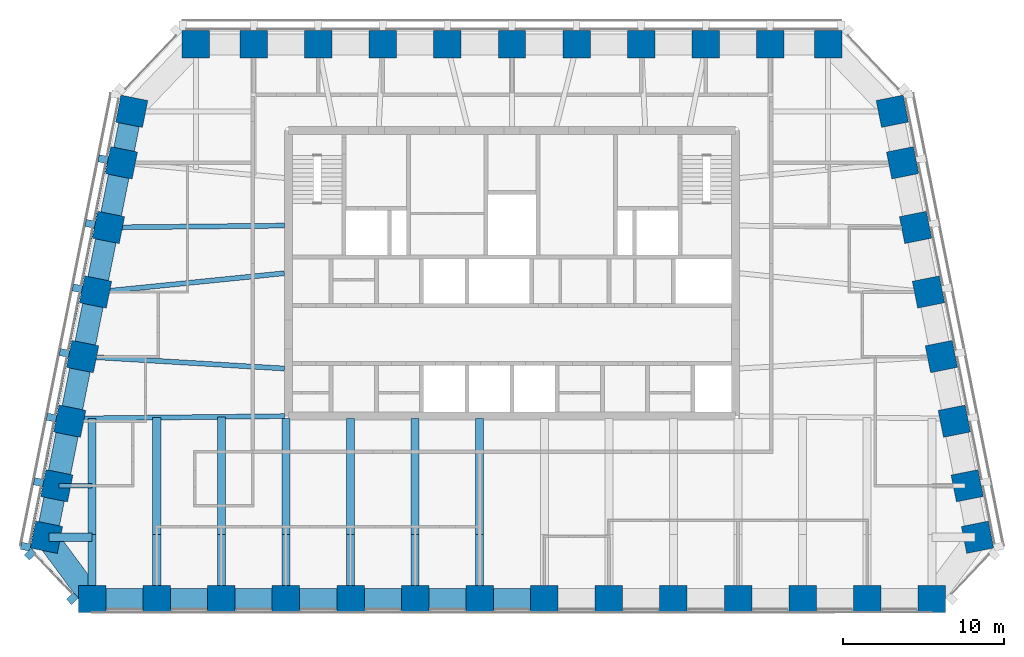
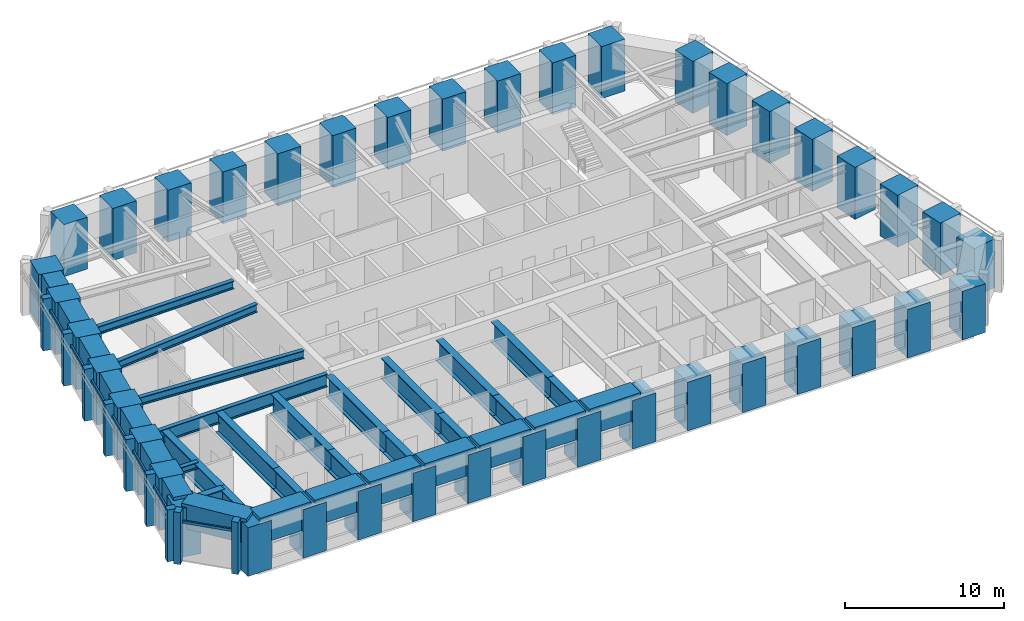
# One storey, part 1 of 12: 41 columns, 35 beams, 16 members, 2 elements without a shape of their own.
"""IFC4 building model written with IfcOpenShell, lengths in metres."""

from ifc_helpers import new_model, si_unit, direction, frame, origin, origin_2d, place, context, subcontext, project, spatial, rectangle, i_section, extrude, material, material_profile, profile_set, type_object, element, aggregate, save


model = new_model("IFC4")

# Units and contexts
model_context = context("Model", 3, precision=1e-05, world=origin(), true_north=direction((0.0, 1.0)))
body_context = subcontext(model_context, "Body", "Model", "MODEL_VIEW")
ifc_project = project(units=[si_unit("LENGTHUNIT", "METRE"), si_unit("AREAUNIT", "SQUARE_METRE"), si_unit("VOLUMEUNIT", "CUBIC_METRE"), si_unit("PLANEANGLEUNIT", "RADIAN"), si_unit("MASSUNIT", "GRAM", prefix="KILO")], contexts=[model_context])

# Site, building, storey
site_placement = place(None, origin())
site = spatial("IfcSite", under=ifc_project, at=site_placement, CompositionType="ELEMENT")
building_placement = place(site_placement, origin())
building = spatial("IfcBuilding", under=site, at=building_placement, Name="Isbrekke Arena Tower", CompositionType="ELEMENT")
storey_placement = place(building_placement, frame((0.0, 0.0, 292.0)))
storey = spatial("IfcBuildingStorey", under=building, at=storey_placement, Name="L68", CompositionType="ELEMENT", Elevation=292.0)

# Columns
ifc_material_1 = material(Name="Concrete B55 (C55/67)", Category="concrete")
ifc_material_profile_1 = material_profile(ifc_material_1, rectangle(XDim=1.699951171875, YDim=1.699951171875, at=origin_2d()), Name="RC 1700x1700")
ifc_profile_set_1 = profile_set([ifc_material_profile_1], Name="Concrete B55 (C55/67)")
column_type = type_object("IfcColumnType", Name="C5 RC 1700 x 1700", PredefinedType="COLUMN", material=ifc_profile_set_1)
for number, where, z_axis, x_axis, name in (
    (1, (-26.0, -5.175048828125, 0.0), (0.0, 0.0, 1.0), (1.0, 0.0, 0.0), "C5 S01"),
    (2, (-22.0, -5.175048828125, 0.0), (0.0, 0.0, 1.0), (1.0, 0.0, 0.0), "C5 S02"),
    (3, (-18.0, -5.175048828125, 0.0), (0.0, 0.0, 1.0), (1.0, 0.0, 0.0), "C5 S03"),
    (4, (-14.0, -5.175048828125, 0.0), (0.0, 0.0, 1.0), (1.0, 0.0, 0.0), "C5 S04"),
    (5, (-10.0, -5.175048828125, 0.0), (0.0, 0.0, 1.0), (1.0, 0.0, 0.0), "C5 S05"),
    (6, (-6.0, -5.175048828125, 0.0), (0.0, 0.0, 1.0), (1.0, 0.0, 0.0), "C5 S06"),
    (7, (-2.0, -5.175048828125, 0.0), (0.0, 0.0, 1.0), (1.0, 0.0, 0.0), "C5 S07"),
    (8, (2.0, -5.175048828125, 0.0), (0.0, 0.0, 1.0), (1.0, 0.0, 0.0), "C5 S08"),
    (9, (6.0, -5.175048828125, 0.0), (0.0, 0.0, 1.0), (1.0, 0.0, 0.0), "C5 S09"),
    (10, (10.0, -5.175048828125, 0.0), (0.0, 0.0, 1.0), (1.0, 0.0, 0.0), "C5 S10"),
    (11, (14.0, -5.175048828125, 0.0), (0.0, 0.0, 1.0), (1.0, 0.0, 0.0), "C5 S11"),
    (12, (18.0, -5.175048828125, 0.0), (0.0, 0.0, 1.0), (1.0, 0.0, 0.0), "C5 S12"),
    (13, (22.0, -5.175048828125, 0.0), (0.0, 0.0, 1.0), (1.0, 0.0, 0.0), "C5 S13"),
    (14, (26.0, -5.175048828125, 0.0), (0.0, 0.0, 1.0), (1.0, 0.0, 0.0), "C5 S14"),
    (15, (28.829345703125, -1.352783203125, 0.0), (0.0, 0.0, 1.0), (-0.196116135138, 0.980580675691, 0.0), "C5 E01"),
):
    element("IfcColumn", number, at=place(storey_placement, frame(where, z_axis=z_axis, x_axis=x_axis)), inside=storey, type_object=column_type, Name=name, PredefinedType="COLUMN", context=body_context, shape_type="SweptSolid", body=[
        extrude(rectangle(XDim=1.699951171875, YDim=1.699951171875, at=origin_2d()), origin(), (0.0, 0.0, 1.0), 3.75),
    ])
for number, where, z_axis, x_axis, name in (
    (16, (28.19091796875, 1.838134765625, 0.0), (0.0, 0.0, 1.0), (-0.196116135138, 0.980580675691, 0.0), "C5 E02"),
    (17, (27.39111328125, 5.838134765625, 0.0), (0.0, 0.0, 1.0), (-0.196116135138, 0.980580675691, 0.0), "C5 E03"),
    (18, (26.591064453125, 9.838134765625, 0.0), (0.0, 0.0, 1.0), (-0.196116135138, 0.980580675691, 0.0), "C5 E04"),
    (19, (25.791015625, 13.838134765625, 0.0), (0.0, 0.0, 1.0), (-0.196116135138, 0.980580675691, 0.0), "C5 E05"),
    (20, (24.990966796875, 17.838134765625, 0.0), (0.0, 0.0, 1.0), (-0.196116135138, 0.980580675691, 0.0), "C5 E06"),
    (21, (24.19091796875, 21.838134765625, 0.0), (0.0, 0.0, 1.0), (-0.196116135138, 0.980580675691, 0.0), "C5 E07"),
    (22, (23.552734375, 25.029296875, 0.0), (0.0, 0.0, 1.0), (-0.196116135138, 0.980580675691, 0.0), "C5 E08"),
    (23, (19.574951171875, 29.175048828125, 0.0), (0.0, 0.0, 1.0), (-1.0, 0.0, 0.0), "C5 N01"),
    (24, (16.0, 29.175048828125, 0.0), (0.0, 0.0, 1.0), (-1.0, 0.0, 0.0), "C5 N02"),
    (25, (12.0, 29.175048828125, 0.0), (0.0, 0.0, 1.0), (-1.0, 0.0, 0.0), "C5 N03"),
    (26, (8.0, 29.175048828125, 0.0), (0.0, 0.0, 1.0), (-1.0, 0.0, 0.0), "C5 N04"),
    (27, (4.0, 29.175048828125, 0.0), (0.0, 0.0, 1.0), (-1.0, 0.0, 0.0), "C5 N05"),
    (28, (0.0, 29.175048828125, 0.0), (0.0, 0.0, 1.0), (-1.0, 0.0, 0.0), "C5 N06"),
    (29, (-4.0, 29.175048828125, 0.0), (0.0, 0.0, 1.0), (-1.0, 0.0, 0.0), "C5 N07"),
    (30, (-8.0, 29.175048828125, 0.0), (0.0, 0.0, 1.0), (-1.0, 0.0, 0.0), "C5 N08"),
    (31, (-12.0, 29.175048828125, 0.0), (0.0, 0.0, 1.0), (-1.0, 0.0, 0.0), "C5 N09"),
    (32, (-16.0, 29.175048828125, 0.0), (0.0, 0.0, 1.0), (-1.0, 0.0, 0.0), "C5 N10"),
    (33, (-19.574951171875, 29.175048828125, 0.0), (0.0, 0.0, 1.0), (-1.0, 0.0, 0.0), "C5 N11"),
    (34, (-23.552734375, 25.029296875, 0.0), (0.0, 0.0, 1.0), (-0.196116135138, -0.980580675691, 0.0), "C5 W01"),
    (35, (-24.19091796875, 21.838134765625, 0.0), (0.0, 0.0, 1.0), (-0.196116135138, -0.980580675691, 0.0), "C5 W02"),
    (36, (-24.990966796875, 17.838134765625, 0.0), (0.0, 0.0, 1.0), (-0.196116135138, -0.980580675691, 0.0), "C5 W03"),
    (37, (-25.791015625, 13.838134765625, 0.0), (0.0, 0.0, 1.0), (-0.196116135138, -0.980580675691, 0.0), "C5 W04"),
    (38, (-26.591064453125, 9.838134765625, 0.0), (0.0, 0.0, 1.0), (-0.196116135138, -0.980580675691, 0.0), "C5 W05"),
    (39, (-27.39111328125, 5.838134765625, 0.0), (0.0, 0.0, 1.0), (-0.196116135138, -0.980580675691, 0.0), "C5 W06"),
    (40, (-28.19091796875, 1.838134765625, 0.0), (0.0, 0.0, 1.0), (-0.196116135138, -0.980580675691, 0.0), "C5 W07"),
):
    element("IfcColumn", number, at=place(storey_placement, frame(where, z_axis=z_axis, x_axis=x_axis)), inside=storey, type_object=column_type, Name=name, PredefinedType="COLUMN", context=body_context, shape_type="SweptSolid", body=[
        extrude(rectangle(XDim=1.699951171875, YDim=1.699951171875, at=origin_2d()), origin(), (0.0, 0.0, 1.0), 4.0),
    ])
column_placement = place(storey_placement, frame((-28.829345703125, -1.352783203125, 0.0), z_axis=(0.0, 0.0, 1.0), x_axis=(-0.196116135138, -0.980580675691, 0.0)))
element("IfcColumn", 41, at=column_placement, inside=storey, type_object=column_type, Name="C5 W08", PredefinedType="COLUMN", context=body_context, shape_type="SweptSolid", body=[
    extrude(rectangle(XDim=1.699951171875, YDim=1.699951171875, at=origin_2d()), origin(), (0.0, 0.0, 1.0), 3.75),
])

# Beams
ifc_material_2 = material(Name="Steel S355", Category="steel")
ifc_material_profile_2 = material_profile(ifc_material_2, i_section(OverallWidth=0.304931640625, OverallDepth=0.6201171875, WebThickness=0.02099609375, FlangeThickness=0.0400390625, FilletRadius=0.027099609375, at=origin_2d()), Name="HEM 600")
ifc_profile_set_2 = profile_set([ifc_material_profile_2], Name="Steel S355")
beam_type_1 = type_object("IfcBeamType", Name="B4 HEM 600", PredefinedType="BEAM", material=ifc_profile_set_2)
beam_1_placement = place(storey_placement, frame((-24.83935546875, 17.838134765625, 3.5400390625), z_axis=(0.999945800258, 0.010411366203, 0.0), x_axis=(-0.010411366203, 0.999945800258, 0.0)))
element("IfcBeam", 42, at=beam_1_placement, inside=storey, type_object=beam_type_1, Name="B4 beam E-W03 L68", PredefinedType="BEAM", context=body_context, shape_type="SweptSolid", body=[
    extrude(i_section(OverallWidth=0.304931640625, OverallDepth=0.6201171875, WebThickness=0.02099609375, FlangeThickness=0.0400390625, FilletRadius=0.027099609375, at=origin_2d()), origin(), (0.0, 0.0, 1.0), 10.73974609375),
])
beam_2_placement = place(storey_placement, frame((-25.625732421875, 13.83984375, 3.5400390625), z_axis=(0.994972081505, 0.100152668587, 0.0), x_axis=(-0.100152668587, 0.994972081505, 0.0)))
element("IfcBeam", 43, at=beam_2_placement, inside=storey, type_object=beam_type_1, Name="B4 beam E-W04 L68", PredefinedType="BEAM", context=body_context, shape_type="SweptSolid", body=[
    extrude(i_section(OverallWidth=0.304931640625, OverallDepth=0.6201171875, WebThickness=0.02099609375, FlangeThickness=0.0400390625, FilletRadius=0.027099609375, at=origin_2d()), origin(), (0.0, 0.0, 1.0), 11.583984375),
])
beam_3_placement = place(storey_placement, frame((-26.431884765625, 9.837646484375, 3.5400390625), z_axis=(0.998216240514, -0.059702070095, 0.0), x_axis=(0.059702070095, 0.998216240514, 0.0)))
element("IfcBeam", 44, at=beam_3_placement, inside=storey, type_object=beam_type_1, Name="B4 beam E-W05 L68", PredefinedType="BEAM", context=body_context, shape_type="SweptSolid", body=[
    extrude(i_section(OverallWidth=0.304931640625, OverallDepth=0.6201171875, WebThickness=0.02099609375, FlangeThickness=0.0400390625, FilletRadius=0.027099609375, at=origin_2d()), origin(), (0.0, 0.0, 1.0), 12.353759765625),
])
ifc_material_3 = material(Name="Steel S355", Category="steel")
ifc_material_profile_3 = material_profile(ifc_material_3, i_section(OverallWidth=0.305908203125, OverallDepth=0.52392578125, WebThickness=0.02099609375, FlangeThickness=0.0400390625, FilletRadius=0.027099609375, at=origin_2d()), Name="HEM 500")
ifc_profile_set_3 = profile_set([ifc_material_profile_3], Name="Steel S355")
beam_type_2 = type_object("IfcBeamType", Name="B5 HEM 500", PredefinedType="BEAM", material=ifc_profile_set_3)
beam_4_placement = place(storey_placement, frame((-28.041015625, 1.838134765625, 3.587890625), z_axis=(1.0, 0.0, 0.0), x_axis=(0.0, 1.0, 0.0)))
element("IfcBeam", 45, at=beam_4_placement, inside=storey, type_object=beam_type_2, Name="B5 beam E-W07 L68", PredefinedType="BEAM", context=body_context, shape_type="SweptSolid", body=[
    extrude(i_section(OverallWidth=0.305908203125, OverallDepth=0.52392578125, WebThickness=0.02099609375, FlangeThickness=0.0400390625, FilletRadius=0.027099609375, at=origin_2d()), origin(), (0.0, 0.0, 1.0), 2.041015625),
])

# Curtain wall, members
ifc_material_4 = material(Name="Glazed aluminium curtain wall", Category="aluminium")
curtain_wall_type = type_object("IfcCurtainWallType", Name="CWT TOWER CURTAIN WALL TOP ZONE", PredefinedType="USERDEFINED", material=ifc_material_4)
curtain_wall_1_placement = place(storey_placement, origin())
curtain_wall_1 = element("IfcCurtainWall", 46, at=curtain_wall_1_placement, inside=storey, type_object=curtain_wall_type, Name="CWT curtain wall L68-W", ObjectType="TOWER CURTAIN WALL TOP ZONE", PredefinedType="USERDEFINED")
ifc_material_5 = material(Name="Copper-clad aluminium mullion", Category="aluminium")
ifc_material_profile_4 = material_profile(ifc_material_5, rectangle(XDim=0.449951171875, YDim=0.60009765625, at=origin_2d()), Name="PIER 450X600")
ifc_profile_set_4 = profile_set([ifc_material_profile_4], Name="Copper-clad aluminium mullion")
member_type_1 = type_object("IfcMemberType", Name="CWT-M PIER MULLION 450 x 600", PredefinedType="MULLION", material=ifc_profile_set_4)
member_1_placement = place(storey_placement, frame((-25.318603515625, 22.063720703125, 0.0), z_axis=(0.0, 0.0, 1.0), x_axis=(-0.196116135138, -0.980580675691, 0.0)))
member_1 = element("IfcMember", 47, at=member_1_placement, type_object=member_type_1, Name="CWT-M mullion 2", PredefinedType="MULLION", context=body_context, shape_type="SweptSolid", body=[
    extrude(rectangle(XDim=0.449951171875, YDim=0.60009765625, at=origin_2d()), origin(), (0.0, 0.0, 1.0), 4.0),
])
member_2_placement = place(storey_placement, frame((-26.11865234375, 18.063720703125, 0.0), z_axis=(0.0, 0.0, 1.0), x_axis=(-0.196116135138, -0.980580675691, 0.0)))
member_2 = element("IfcMember", 48, at=member_2_placement, type_object=member_type_1, Name="CWT-M mullion 3", PredefinedType="MULLION", context=body_context, shape_type="SweptSolid", body=[
    extrude(rectangle(XDim=0.449951171875, YDim=0.60009765625, at=origin_2d()), origin(), (0.0, 0.0, 1.0), 4.0),
])
member_3_placement = place(storey_placement, frame((-26.918701171875, 14.063720703125, 0.0), z_axis=(0.0, 0.0, 1.0), x_axis=(-0.196116135138, -0.980580675691, 0.0)))
member_3 = element("IfcMember", 49, at=member_3_placement, type_object=member_type_1, Name="CWT-M mullion 4", PredefinedType="MULLION", context=body_context, shape_type="SweptSolid", body=[
    extrude(rectangle(XDim=0.449951171875, YDim=0.60009765625, at=origin_2d()), origin(), (0.0, 0.0, 1.0), 4.0),
])
member_4_placement = place(storey_placement, frame((-27.71875, 10.063720703125, 0.0), z_axis=(0.0, 0.0, 1.0), x_axis=(-0.196116135138, -0.980580675691, 0.0)))
member_4 = element("IfcMember", 50, at=member_4_placement, type_object=member_type_1, Name="CWT-M mullion 5", PredefinedType="MULLION", context=body_context, shape_type="SweptSolid", body=[
    extrude(rectangle(XDim=0.449951171875, YDim=0.60009765625, at=origin_2d()), origin(), (0.0, 0.0, 1.0), 4.0),
])
member_5_placement = place(storey_placement, frame((-28.518798828125, 6.063720703125, 0.0), z_axis=(0.0, 0.0, 1.0), x_axis=(-0.196116135138, -0.980580675691, 0.0)))
member_5 = element("IfcMember", 51, at=member_5_placement, type_object=member_type_1, Name="CWT-M mullion 6", PredefinedType="MULLION", context=body_context, shape_type="SweptSolid", body=[
    extrude(rectangle(XDim=0.449951171875, YDim=0.60009765625, at=origin_2d()), origin(), (0.0, 0.0, 1.0), 4.0),
])
member_6_placement = place(storey_placement, frame((-29.318603515625, 2.063720703125, 0.0), z_axis=(0.0, 0.0, 1.0), x_axis=(-0.196116135138, -0.980580675691, 0.0)))
member_6 = element("IfcMember", 52, at=member_6_placement, type_object=member_type_1, Name="CWT-M mullion 7", PredefinedType="MULLION", context=body_context, shape_type="SweptSolid", body=[
    extrude(rectangle(XDim=0.449951171875, YDim=0.60009765625, at=origin_2d()), origin(), (0.0, 0.0, 1.0), 4.0),
])
member_7_placement = place(storey_placement, frame((-30.11865234375, -1.936279296875, 0.0), z_axis=(0.0, 0.0, 1.0), x_axis=(-0.196116135138, -0.980580675691, 0.0)))
member_7 = element("IfcMember", 53, at=member_7_placement, type_object=member_type_1, Name="CWT-M mullion 8", PredefinedType="MULLION", context=body_context, shape_type="SweptSolid", body=[
    extrude(rectangle(XDim=0.449951171875, YDim=0.60009765625, at=origin_2d()), origin(), (0.0, 0.0, 1.0), 4.0),
])

curtain_wall_2_placement = place(storey_placement, origin())
curtain_wall_2 = element("IfcCurtainWall", 54, at=curtain_wall_2_placement, inside=storey, type_object=curtain_wall_type, Name="CWT curtain wall L68-WS", ObjectType="TOWER CURTAIN WALL TOP ZONE", PredefinedType="USERDEFINED")
member_8_placement = place(storey_placement, frame((-29.835205078125, -2.398681640625, 0.0), z_axis=(0.0, 0.0, 1.0), x_axis=(0.68874946192, -0.72499943359, 0.0)))
member_8 = element("IfcMember", 55, at=member_8_placement, type_object=member_type_1, Name="CWT-M mullion 1", PredefinedType="MULLION", context=body_context, shape_type="SweptSolid", body=[
    extrude(rectangle(XDim=0.449951171875, YDim=0.60009765625, at=origin_2d()), origin(), (0.0, 0.0, 1.0), 4.0),
])
member_9_placement = place(storey_placement, frame((-27.219970703125, -5.1513671875, 0.0), z_axis=(0.0, 0.0, 1.0), x_axis=(0.68874946192, -0.72499943359, 0.0)))
member_9 = element("IfcMember", 56, at=member_9_placement, type_object=member_type_1, Name="CWT-M mullion 2", PredefinedType="MULLION", context=body_context, shape_type="SweptSolid", body=[
    extrude(rectangle(XDim=0.449951171875, YDim=0.60009765625, at=origin_2d()), origin(), (0.0, 0.0, 1.0), 4.0),
])

# Member
ifc_material_6 = material(Name="Aluminium transom", Category="aluminium")
ifc_material_profile_5 = material_profile(ifc_material_6, rectangle(XDim=0.1201171875, YDim=0.199951171875, at=origin_2d()), Name="TRANSOM 120X200")
ifc_profile_set_5 = profile_set([ifc_material_profile_5], Name="Aluminium transom")
member_type_2 = type_object("IfcMemberType", Name="CWT-T TRANSOM 120 x 200", PredefinedType="USERDEFINED", material=ifc_profile_set_5)
member_10_placement = place(storey_placement, frame((-25.166748046875, 21.803955078125, 3.0), z_axis=(-0.196090262229, -0.980585849918, 0.0), x_axis=(0.980585849918, -0.196090262229, 0.0)))
member_10 = element("IfcMember", 57, at=member_10_placement, type_object=member_type_2, Name="CWT-T transom 2", ObjectType="TRANSOM", PredefinedType="USERDEFINED", context=body_context, shape_type="SweptSolid", body=[
    extrude(rectangle(XDim=0.1201171875, YDim=0.199951171875, at=origin_2d()), origin(), (0.0, 0.0, 1.0), 3.62939453125),
])

member_11_placement = place(storey_placement, frame((-25.966796875, 17.803955078125, 3.0), z_axis=(-0.196090262229, -0.980585849918, 0.0), x_axis=(0.980585849918, -0.196090262229, 0.0)))
member_11 = element("IfcMember", 58, at=member_11_placement, type_object=member_type_2, Name="CWT-T transom 3", ObjectType="TRANSOM", PredefinedType="USERDEFINED", context=body_context, shape_type="SweptSolid", body=[
    extrude(rectangle(XDim=0.1201171875, YDim=0.199951171875, at=origin_2d()), origin(), (0.0, 0.0, 1.0), 3.62939453125),
])

member_12_placement = place(storey_placement, frame((-26.7666015625, 13.803955078125, 3.0), z_axis=(-0.196154943734, -0.980572913173, 0.0), x_axis=(0.980572913173, -0.196154943734, 0.0)))
member_12 = element("IfcMember", 59, at=member_12_placement, type_object=member_type_2, Name="CWT-T transom 4", ObjectType="TRANSOM", PredefinedType="USERDEFINED", context=body_context, shape_type="SweptSolid", body=[
    extrude(rectangle(XDim=0.1201171875, YDim=0.199951171875, at=origin_2d()), origin(), (0.0, 0.0, 1.0), 3.62939453125),
])

member_13_placement = place(storey_placement, frame((-27.566650390625, 9.803955078125, 3.0), z_axis=(-0.196154943734, -0.980572913173, 0.0), x_axis=(0.980572913173, -0.196154943734, 0.0)))
member_13 = element("IfcMember", 60, at=member_13_placement, type_object=member_type_2, Name="CWT-T transom 5", ObjectType="TRANSOM", PredefinedType="USERDEFINED", context=body_context, shape_type="SweptSolid", body=[
    extrude(rectangle(XDim=0.1201171875, YDim=0.199951171875, at=origin_2d()), origin(), (0.0, 0.0, 1.0), 3.62939453125),
])

member_14_placement = place(storey_placement, frame((-28.36669921875, 5.803955078125, 3.0), z_axis=(-0.196090262229, -0.980585849918, 0.0), x_axis=(0.980585849918, -0.196090262229, 0.0)))
member_14 = element("IfcMember", 61, at=member_14_placement, type_object=member_type_2, Name="CWT-T transom 6", ObjectType="TRANSOM", PredefinedType="USERDEFINED", context=body_context, shape_type="SweptSolid", body=[
    extrude(rectangle(XDim=0.1201171875, YDim=0.199951171875, at=origin_2d()), origin(), (0.0, 0.0, 1.0), 3.62939453125),
])

member_15_placement = place(storey_placement, frame((-29.166748046875, 1.803955078125, 3.0), z_axis=(-0.196090262229, -0.980585849918, 0.0), x_axis=(0.980585849918, -0.196090262229, 0.0)))
member_15 = element("IfcMember", 62, at=member_15_placement, type_object=member_type_2, Name="CWT-T transom 7", ObjectType="TRANSOM", PredefinedType="USERDEFINED", context=body_context, shape_type="SweptSolid", body=[
    extrude(rectangle(XDim=0.1201171875, YDim=0.199951171875, at=origin_2d()), origin(), (0.0, 0.0, 1.0), 3.62939453125),
])

aggregate(curtain_wall_1, [member_1, member_2, member_3, member_4, member_5, member_6, member_7, member_10, member_11, member_12, member_13, member_14, member_15])

member_16_placement = place(storey_placement, frame((-29.53515625, -2.424072265625, 3.0), z_axis=(0.688783970492, -0.724966648883, 0.0), x_axis=(0.724966648883, 0.688783970492, 0.0)))
member_16 = element("IfcMember", 63, at=member_16_placement, type_object=member_type_2, Name="CWT-T transom 1", ObjectType="TRANSOM", PredefinedType="USERDEFINED", context=body_context, shape_type="SweptSolid", body=[
    extrude(rectangle(XDim=0.1201171875, YDim=0.199951171875, at=origin_2d()), origin(), (0.0, 0.0, 1.0), 3.3466796875),
])

aggregate(curtain_wall_2, [member_8, member_9, member_16])

# Beams
ifc_material_7 = material(Name="Steel S355", Category="steel")
ifc_material_profile_6 = material_profile(ifc_material_7, i_section(OverallWidth=0.302001953125, OverallDepth=1.008056640625, WebThickness=0.02099609375, FlangeThickness=0.0400390625, FilletRadius=0.030029296875, at=origin_2d()), Name="HEM 1000")
ifc_profile_set_6 = profile_set([ifc_material_profile_6], Name="Steel S355")
beam_type_3 = type_object("IfcBeamType", Name="G2 HEM 1000", PredefinedType="BEAM", material=ifc_profile_set_6)
beam_5_placement = place(storey_placement, frame((-14.10009765625, 6.14990234375, 3.345947265625), z_axis=(-0.999936387749, -0.011279204565, 0.0), x_axis=(0.011279204565, -0.999936387749, 0.0)))
element("IfcBeam", 64, at=beam_5_placement, inside=storey, type_object=beam_type_3, Name="G2 beam G2-W L68", PredefinedType="BEAM", context=body_context, shape_type="SweptSolid", body=[
    extrude(i_section(OverallWidth=0.302001953125, OverallDepth=1.008056640625, WebThickness=0.02099609375, FlangeThickness=0.0400390625, FilletRadius=0.030029296875, at=origin_2d()), origin(), (0.0, 0.0, 1.0), 13.2900390625),
])
ifc_material_8 = material(Name="Concrete B55 (C55/67)", Category="concrete")
ifc_material_profile_7 = material_profile(ifc_material_8, rectangle(XDim=1.300048828125, YDim=2.0, at=origin_2d()), Name="RC 1300x2000")
ifc_profile_set_7 = profile_set([ifc_material_profile_7], Name="Concrete B55 (C55/67)")
beam_type_4 = type_object("IfcBeamType", Name="SB4 RC 1300 x 2000", PredefinedType="SPANDREL", material=ifc_profile_set_7)
for number, where, z_axis, x_axis, name in (
    (65, (-25.85009765625, -5.175048828125, 3.0), (1.0, 0.0, 0.0), (0.0, 1.0, 0.0), "SB4 spandrel S01-S02 L68"),
    (66, (-21.85009765625, -5.175048828125, 3.0), (1.0, 0.0, 0.0), (0.0, 1.0, 0.0), "SB4 spandrel S02-S03 L68"),
    (67, (-17.85009765625, -5.175048828125, 3.0), (1.0, 0.0, 0.0), (0.0, 1.0, 0.0), "SB4 spandrel S03-S04 L68"),
    (68, (-13.85009765625, -5.175048828125, 3.0), (1.0, 0.0, 0.0), (0.0, 1.0, 0.0), "SB4 spandrel S04-S05 L68"),
    (69, (-9.85009765625, -5.175048828125, 3.0), (1.0, 0.0, 0.0), (0.0, 1.0, 0.0), "SB4 spandrel S05-S06 L68"),
    (70, (-5.85009765625, -5.175048828125, 3.0), (1.0, 0.0, 0.0), (0.0, 1.0, 0.0), "SB4 spandrel S06-S07 L68"),
    (71, (-1.85009765625, -5.175048828125, 3.0), (1.0, 0.0, 0.0), (0.0, 1.0, 0.0), "SB4 spandrel S07-S08 L68"),
):
    element("IfcBeam", number, at=place(storey_placement, frame(where, z_axis=z_axis, x_axis=x_axis)), inside=storey, type_object=beam_type_4, Name=name, PredefinedType="SPANDREL", context=body_context, shape_type="SweptSolid", body=[
        extrude(rectangle(XDim=1.300048828125, YDim=2.0, at=origin_2d()), origin(), (0.0, 0.0, 1.0), 3.7001953125),
    ])
beam_6_placement = place(storey_placement, frame((-23.582275390625, 24.882080078125, 3.0), z_axis=(-0.196116135138, -0.980580675691, 0.0), x_axis=(0.980580675691, -0.196116135138, 0.0)))
element("IfcBeam", 72, at=beam_6_placement, inside=storey, type_object=beam_type_4, Name="SB4 spandrel W01-W02 L68", PredefinedType="SPANDREL", context=body_context, shape_type="SweptSolid", body=[
    extrude(rectangle(XDim=1.300048828125, YDim=2.0, at=origin_2d()), origin(), (0.0, 0.0, 1.0), 2.9541015625),
])
for number, where, z_axis, x_axis, name in (
    (73, (-24.220458984375, 21.691162109375, 3.0), (-0.196128558387, -0.980578190959, 0.0), (0.980578190959, -0.196128558387, 0.0), "SB4 spandrel W02-W03 L68"),
    (74, (-25.0205078125, 17.691162109375, 3.0), (-0.196128558387, -0.980578190959, 0.0), (0.980578190959, -0.196128558387, 0.0), "SB4 spandrel W03-W04 L68"),
):
    element("IfcBeam", number, at=place(storey_placement, frame(where, z_axis=z_axis, x_axis=x_axis)), inside=storey, type_object=beam_type_4, Name=name, PredefinedType="SPANDREL", context=body_context, shape_type="SweptSolid", body=[
        extrude(rectangle(XDim=1.300048828125, YDim=2.0, at=origin_2d()), origin(), (0.0, 0.0, 1.0), 3.779296875),
    ])
beam_7_placement = place(storey_placement, frame((-25.820556640625, 13.691162109375, 3.0), z_axis=(-0.1960664412, -0.980590613169, 0.0), x_axis=(0.980590613169, -0.1960664412, 0.0)))
element("IfcBeam", 75, at=beam_7_placement, inside=storey, type_object=beam_type_4, Name="SB4 spandrel W04-W05 L68", PredefinedType="SPANDREL", context=body_context, shape_type="SweptSolid", body=[
    extrude(rectangle(XDim=1.300048828125, YDim=2.0, at=origin_2d()), origin(), (0.0, 0.0, 1.0), 3.779052734375),
])
beam_8_placement = place(storey_placement, frame((-26.620361328125, 9.691162109375, 3.0), z_axis=(-0.196128558387, -0.980578190959, 0.0), x_axis=(0.980578190959, -0.196128558387, 0.0)))
element("IfcBeam", 76, at=beam_8_placement, inside=storey, type_object=beam_type_4, Name="SB4 spandrel W05-W06 L68", PredefinedType="SPANDREL", context=body_context, shape_type="SweptSolid", body=[
    extrude(rectangle(XDim=1.300048828125, YDim=2.0, at=origin_2d()), origin(), (0.0, 0.0, 1.0), 3.779296875),
])
beam_9_placement = place(storey_placement, frame((-28.029296875, 2.647216796875, 3.0), z_axis=(-0.196092237713, -0.980585454873, 0.0), x_axis=(0.980585454873, -0.196092237713, 0.0)))
element("IfcBeam", 77, at=beam_9_placement, inside=storey, type_object=beam_type_4, Name="SB4 spandrel W07-W08 L68", PredefinedType="SPANDREL", context=body_context, shape_type="SweptSolid", body=[
    extrude(rectangle(XDim=1.300048828125, YDim=2.0, at=origin_2d()), origin(), (0.0, 0.0, 1.0), 3.92919921875),
])
ifc_material_9 = material(Name="Concrete B55 (C55/67)", Category="concrete")
ifc_material_profile_8 = material_profile(ifc_material_9, rectangle(XDim=1.39990234375, YDim=1.89990234375, at=origin_2d()), Name="RC 1400 x 1900")
ifc_profile_set_8 = profile_set([ifc_material_profile_8], Name="Concrete B55 (C55/67)")
beam_type_5 = type_object("IfcBeamType", Name="SB5 RC 1400  x  1900", PredefinedType="SPANDREL", material=ifc_profile_set_8)
beam_10_placement = place(storey_placement, frame((-27.42041015625, 5.691162109375, 3.050048828125), z_axis=(-0.196146384009, -0.980574625432, 0.0), x_axis=(0.980574625432, -0.196146384009, 0.0)))
element("IfcBeam", 78, at=beam_10_placement, inside=storey, type_object=beam_type_5, Name="SB5 spandrel W06-W07 L68", PredefinedType="SPANDREL", context=body_context, shape_type="SweptSolid", body=[
    extrude(rectangle(XDim=1.39990234375, YDim=1.89990234375, at=origin_2d()), origin(), (0.0, 0.0, 1.0), 3.104248046875),
])
beam_11_placement = place(storey_placement, frame((-28.739990234375, -1.473388671875, 3.050048828125), z_axis=(0.594937895072, -0.803771672185, 0.0), x_axis=(0.803771672185, 0.594937895072, 0.0)))
element("IfcBeam", 79, at=beam_11_placement, inside=storey, type_object=beam_type_5, Name="SB5 spandrel W08-S01 L68", PredefinedType="SPANDREL", context=body_context, shape_type="SweptSolid", body=[
    extrude(rectangle(XDim=1.39990234375, YDim=1.89990234375, at=origin_2d()), origin(), (0.0, 0.0, 1.0), 4.455322265625),
])
ifc_material_10 = material(Name="Steel S355", Category="steel")
ifc_material_profile_9 = material_profile(ifc_material_10, i_section(OverallWidth=0.5, OverallDepth=1.60009765625, WebThickness=0.030029296875, FlangeThickness=0.06005859375, at=origin_2d()), Name="PG 1600x500")
ifc_profile_set_9 = profile_set([ifc_material_profile_9], Name="Steel S355")
beam_type_6 = type_object("IfcBeamType", Name="TG1 PG 1600x500", PredefinedType="BEAM", material=ifc_profile_set_9)
beam_12_placement = place(storey_placement, frame((-26.0, -5.02490234375, 2.949951171875), z_axis=(0.0, 1.0, 0.0), x_axis=(-1.0, 0.0, 0.0)))
element("IfcBeam", 80, at=beam_12_placement, inside=storey, type_object=beam_type_6, Name="TG1 transfer girder C-S01 L68 part 1", PredefinedType="BEAM", context=body_context, shape_type="SweptSolid", body=[
    extrude(i_section(OverallWidth=0.5, OverallDepth=1.60009765625, WebThickness=0.030029296875, FlangeThickness=0.06005859375, at=origin_2d()), origin(), (0.0, 0.0, 1.0), 3.849853515625),
])
beam_13_placement = place(storey_placement, frame((-26.0, -1.175048828125, 2.949951171875), z_axis=(0.0, 1.0, 0.0), x_axis=(-1.0, 0.0, 0.0)))
element("IfcBeam", 81, at=beam_13_placement, inside=storey, type_object=beam_type_6, Name="TG1 transfer girder C-S01 L68 part 2", PredefinedType="BEAM", context=body_context, shape_type="SweptSolid", body=[
    extrude(i_section(OverallWidth=0.5, OverallDepth=1.60009765625, WebThickness=0.030029296875, FlangeThickness=0.06005859375, at=origin_2d()), origin(), (0.0, 0.0, 1.0), 7.190673828125),
])
beam_14_placement = place(storey_placement, frame((-22.0, -5.02490234375, 2.949951171875), z_axis=(0.0, 1.0, 0.0), x_axis=(-1.0, 0.0, 0.0)))
element("IfcBeam", 82, at=beam_14_placement, inside=storey, type_object=beam_type_6, Name="TG1 transfer girder C-S02 L68 part 1", PredefinedType="BEAM", context=body_context, shape_type="SweptSolid", body=[
    extrude(i_section(OverallWidth=0.5, OverallDepth=1.60009765625, WebThickness=0.030029296875, FlangeThickness=0.06005859375, at=origin_2d()), origin(), (0.0, 0.0, 1.0), 3.849853515625),
])
beam_15_placement = place(storey_placement, frame((-22.0, -1.175048828125, 2.949951171875), z_axis=(0.0, 1.0, 0.0), x_axis=(-1.0, 0.0, 0.0)))
element("IfcBeam", 83, at=beam_15_placement, inside=storey, type_object=beam_type_6, Name="TG1 transfer girder C-S02 L68 part 2", PredefinedType="BEAM", context=body_context, shape_type="SweptSolid", body=[
    extrude(i_section(OverallWidth=0.5, OverallDepth=1.60009765625, WebThickness=0.030029296875, FlangeThickness=0.06005859375, at=origin_2d()), origin(), (0.0, 0.0, 1.0), 7.23583984375),
])
beam_16_placement = place(storey_placement, frame((-18.0, -5.02490234375, 2.949951171875), z_axis=(0.0, 1.0, 0.0), x_axis=(-1.0, 0.0, 0.0)))
element("IfcBeam", 84, at=beam_16_placement, inside=storey, type_object=beam_type_6, Name="TG1 transfer girder C-S03 L68 part 1", PredefinedType="BEAM", context=body_context, shape_type="SweptSolid", body=[
    extrude(i_section(OverallWidth=0.5, OverallDepth=1.60009765625, WebThickness=0.030029296875, FlangeThickness=0.06005859375, at=origin_2d()), origin(), (0.0, 0.0, 1.0), 3.849853515625),
])
beam_17_placement = place(storey_placement, frame((-18.0, -1.175048828125, 2.949951171875), z_axis=(0.0, 1.0, 0.0), x_axis=(-1.0, 0.0, 0.0)))
element("IfcBeam", 85, at=beam_17_placement, inside=storey, type_object=beam_type_6, Name="TG1 transfer girder C-S03 L68 part 2", PredefinedType="BEAM", context=body_context, shape_type="SweptSolid", body=[
    extrude(i_section(OverallWidth=0.5, OverallDepth=1.60009765625, WebThickness=0.030029296875, FlangeThickness=0.06005859375, at=origin_2d()), origin(), (0.0, 0.0, 1.0), 7.281005859375),
])
beam_18_placement = place(storey_placement, frame((-14.0, -5.02490234375, 2.949951171875), z_axis=(0.0, 1.0, 0.0), x_axis=(-1.0, 0.0, 0.0)))
element("IfcBeam", 86, at=beam_18_placement, inside=storey, type_object=beam_type_6, Name="TG1 transfer girder C-S04 L68 part 1", PredefinedType="BEAM", context=body_context, shape_type="SweptSolid", body=[
    extrude(i_section(OverallWidth=0.5, OverallDepth=1.60009765625, WebThickness=0.030029296875, FlangeThickness=0.06005859375, at=origin_2d()), origin(), (0.0, 0.0, 1.0), 3.849853515625),
])
beam_19_placement = place(storey_placement, frame((-14.0, -1.175048828125, 2.949951171875), z_axis=(0.0, 1.0, 0.0), x_axis=(-1.0, 0.0, 0.0)))
element("IfcBeam", 87, at=beam_19_placement, inside=storey, type_object=beam_type_6, Name="TG1 transfer girder C-S04 L68 part 2", PredefinedType="BEAM", context=body_context, shape_type="SweptSolid", body=[
    extrude(i_section(OverallWidth=0.5, OverallDepth=1.60009765625, WebThickness=0.030029296875, FlangeThickness=0.06005859375, at=origin_2d()), origin(), (0.0, 0.0, 1.0), 7.175048828125),
])
beam_20_placement = place(storey_placement, frame((-10.0, -5.02490234375, 2.949951171875), z_axis=(0.0, 1.0, 0.0), x_axis=(-1.0, 0.0, 0.0)))
element("IfcBeam", 88, at=beam_20_placement, inside=storey, type_object=beam_type_6, Name="TG1 transfer girder C-S05 L68 part 1", PredefinedType="BEAM", context=body_context, shape_type="SweptSolid", body=[
    extrude(i_section(OverallWidth=0.5, OverallDepth=1.60009765625, WebThickness=0.030029296875, FlangeThickness=0.06005859375, at=origin_2d()), origin(), (0.0, 0.0, 1.0), 3.849853515625),
])
beam_21_placement = place(storey_placement, frame((-10.0, -1.175048828125, 2.949951171875), z_axis=(0.0, 1.0, 0.0), x_axis=(-1.0, 0.0, 0.0)))
element("IfcBeam", 89, at=beam_21_placement, inside=storey, type_object=beam_type_6, Name="TG1 transfer girder C-S05 L68 part 2", PredefinedType="BEAM", context=body_context, shape_type="SweptSolid", body=[
    extrude(i_section(OverallWidth=0.5, OverallDepth=1.60009765625, WebThickness=0.030029296875, FlangeThickness=0.06005859375, at=origin_2d()), origin(), (0.0, 0.0, 1.0), 7.175048828125),
])
beam_22_placement = place(storey_placement, frame((-6.0, -5.02490234375, 2.949951171875), z_axis=(0.0, 1.0, 0.0), x_axis=(-1.0, 0.0, 0.0)))
element("IfcBeam", 90, at=beam_22_placement, inside=storey, type_object=beam_type_6, Name="TG1 transfer girder C-S06 L68 part 1", PredefinedType="BEAM", context=body_context, shape_type="SweptSolid", body=[
    extrude(i_section(OverallWidth=0.5, OverallDepth=1.60009765625, WebThickness=0.030029296875, FlangeThickness=0.06005859375, at=origin_2d()), origin(), (0.0, 0.0, 1.0), 3.849853515625),
])
beam_23_placement = place(storey_placement, frame((-6.0, -1.175048828125, 2.949951171875), z_axis=(0.0, 1.0, 0.0), x_axis=(-1.0, 0.0, 0.0)))
element("IfcBeam", 91, at=beam_23_placement, inside=storey, type_object=beam_type_6, Name="TG1 transfer girder C-S06 L68 part 2", PredefinedType="BEAM", context=body_context, shape_type="SweptSolid", body=[
    extrude(i_section(OverallWidth=0.5, OverallDepth=1.60009765625, WebThickness=0.030029296875, FlangeThickness=0.06005859375, at=origin_2d()), origin(), (0.0, 0.0, 1.0), 7.175048828125),
])
beam_24_placement = place(storey_placement, frame((-2.0, -5.02490234375, 2.949951171875), z_axis=(0.0, 1.0, 0.0), x_axis=(-1.0, 0.0, 0.0)))
element("IfcBeam", 92, at=beam_24_placement, inside=storey, type_object=beam_type_6, Name="TG1 transfer girder C-S07 L68 part 1", PredefinedType="BEAM", context=body_context, shape_type="SweptSolid", body=[
    extrude(i_section(OverallWidth=0.5, OverallDepth=1.60009765625, WebThickness=0.030029296875, FlangeThickness=0.06005859375, at=origin_2d()), origin(), (0.0, 0.0, 1.0), 3.849853515625),
])
beam_25_placement = place(storey_placement, frame((-2.0, -1.175048828125, 2.949951171875), z_axis=(0.0, 1.0, 0.0), x_axis=(-1.0, 0.0, 0.0)))
element("IfcBeam", 93, at=beam_25_placement, inside=storey, type_object=beam_type_6, Name="TG1 transfer girder C-S07 L68 part 2", PredefinedType="BEAM", context=body_context, shape_type="SweptSolid", body=[
    extrude(i_section(OverallWidth=0.5, OverallDepth=1.60009765625, WebThickness=0.030029296875, FlangeThickness=0.06005859375, at=origin_2d()), origin(), (0.0, 0.0, 1.0), 7.175048828125),
])
beam_26_placement = place(storey_placement, frame((-28.67919921875, -1.352783203125, 2.949951171875), z_axis=(1.0, 0.0, 0.0), x_axis=(0.0, 1.0, 0.0)))
element("IfcBeam", 94, at=beam_26_placement, inside=storey, type_object=beam_type_6, Name="TG1 transfer girder E-W08 L68", PredefinedType="BEAM", context=body_context, shape_type="SweptSolid", body=[
    extrude(i_section(OverallWidth=0.5, OverallDepth=1.60009765625, WebThickness=0.030029296875, FlangeThickness=0.06005859375, at=origin_2d()), origin(), (0.0, 0.0, 1.0), 2.67919921875),
])

save(model, "model.ifc")
